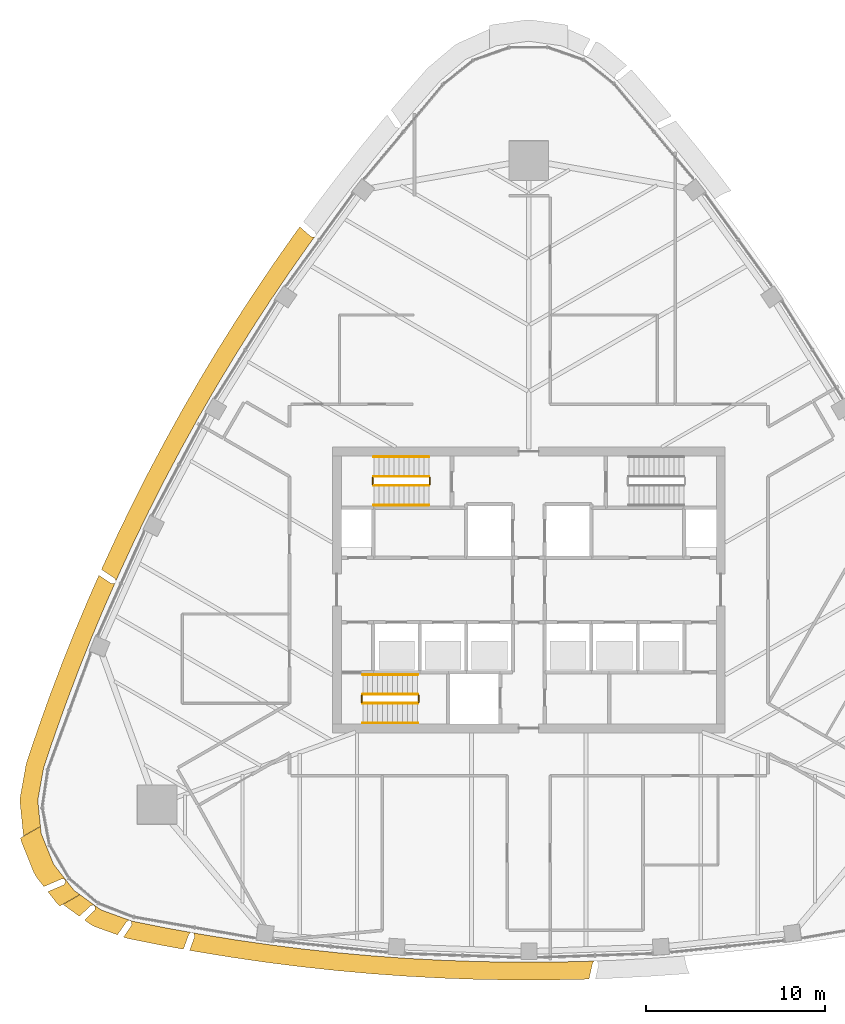
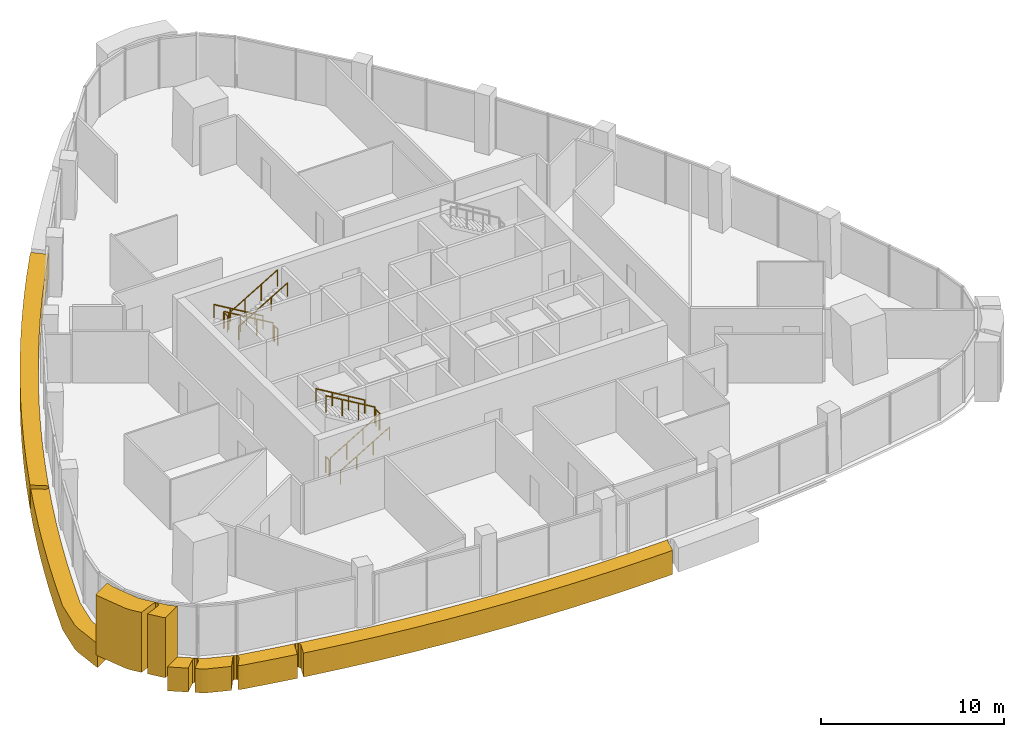
# One storey, part 12 of 15: 12 railings, 4 coverings.
"""IFC4 building model written with IfcOpenShell, lengths in metres."""

from ifc_helpers import new_model, si_unit, direction, frame, origin, origin_2d, place, context, subcontext, project, spatial, polyline, circle, outline, extrude, material, layer, layer_set, type_object, element, save


model = new_model("IFC4")

# Units and contexts
model_context = context("Model", 3, precision=1e-05, world=origin(), true_north=direction((0.0, 1.0)))
body_context = subcontext(model_context, "Body", "Model", "MODEL_VIEW")
ifc_project = project(units=[si_unit("LENGTHUNIT", "METRE"), si_unit("AREAUNIT", "SQUARE_METRE"), si_unit("VOLUMEUNIT", "CUBIC_METRE"), si_unit("PLANEANGLEUNIT", "RADIAN"), si_unit("MASSUNIT", "GRAM", prefix="KILO")], contexts=[model_context])

# Site, building, storey
site_placement = place(None, origin())
site = spatial("IfcSite", under=ifc_project, at=site_placement, CompositionType="ELEMENT")
building_placement = place(site_placement, origin())
building = spatial("IfcBuilding", under=site, at=building_placement, Name="Sierra Prisma Convention Tower", CompositionType="ELEMENT")
storey_placement = place(building_placement, frame((0.0, 0.0, 283.0)))
storey = spatial("IfcBuildingStorey", under=building, at=storey_placement, Name="L64", CompositionType="ELEMENT", Elevation=283.0)

# Coverings
ifc_material_1 = material(Name="Aluminium composite bronze anodised", Category="aluminium")
ifc_layer_1 = layer(ifc_material_1, 1.199951171875)
ifc_layer_set_1 = layer_set([ifc_layer_1], Name="Bronze corner pier")
covering_type_1 = type_object("IfcCoveringType", Name="Bronze corner pier", PredefinedType="CLADDING", material=ifc_layer_set_1)
covering_1_placement = place(storey_placement, frame((0.0, 0.0, -0.60009765625)))
element("IfcCovering", 1, at=covering_1_placement, inside=storey, type_object=covering_type_1, Name="Corner pier SW L64.1", PredefinedType="CLADDING", context=body_context, shape_type="SweptSolid", body=[
    extrude(outline(polyline([(-27.345703125, -13.247802734375), (-27.305419921875, -13.63818359375), (-26.609619140625, -15.363037109375), (-25.463623046875, -16.828125), (-25.145751953125, -17.058349609375), (-26.26611328125, -17.705078125), (-26.40869140625, -17.5673828125), (-26.93310546875, -16.8974609375), (-26.041259765625, -16.518310546875), (-26.036865234375, -16.51611328125), (-26.032470703125, -16.513427734375), (-26.028564453125, -16.510498046875), (-26.02490234375, -16.507080078125), (-26.021728515625, -16.50341796875), (-26.018798828125, -16.499267578125), (-26.016357421875, -16.4951171875), (-25.93994140625, -16.345458984375), (-25.93798828125, -16.341064453125), (-25.936279296875, -16.336669921875), (-25.935302734375, -16.33203125), (-25.9345703125, -16.327392578125), (-25.934326171875, -16.322509765625), (-25.9345703125, -16.31787109375), (-25.935302734375, -16.313232421875), (-25.936279296875, -16.30859375), (-25.93798828125, -16.30419921875), (-25.93994140625, -16.2998046875), (-25.9423828125, -16.295654296875), (-25.945068359375, -16.2919921875), (-26.006591796875, -16.213134765625), (-26.010009765625, -16.20947265625), (-26.013427734375, -16.2060546875), (-26.017333984375, -16.202880859375), (-26.021484375, -16.2001953125), (-26.02587890625, -16.197998046875), (-26.030517578125, -16.1962890625), (-26.035400390625, -16.195068359375), (-26.040283203125, -16.194091796875), (-26.045166015625, -16.19384765625), (-26.157958984375, -16.192138671875), (-26.1630859375, -16.1923828125), (-26.168212890625, -16.193115234375), (-26.17333984375, -16.1943359375), (-26.17822265625, -16.1962890625), (-27.15625, -16.612060546875), (-27.5546875, -16.102294921875), (-27.722412109375, -15.81201171875), (-28.418212890625, -14.0869140625), (-28.466064453125, -13.89453125), (-27.345703125, -13.247802734375)])), origin(), (0.0, 0.0, 1.0), 4.0),
])
ifc_material_2 = material(Name="Aluminium composite bronze anodised", Category="aluminium")
ifc_layer_2 = layer(ifc_material_2, 1.0)
ifc_layer_set_2 = layer_set([ifc_layer_2], Name="Bronze spandrel band")
covering_type_2 = type_object("IfcCoveringType", Name="Bronze spandrel band", PredefinedType="CLADDING", material=ifc_layer_set_2)
covering_2_placement = place(storey_placement, frame((0.0, 0.0, -1.60009765625)))
element("IfcCovering", 2, at=covering_2_placement, inside=storey, type_object=covering_type_2, Name="Spandrel band L64.1", PredefinedType="CLADDING", context=body_context, shape_type="SweptSolid", body=[
    extrude(outline(polyline([(-24.646240234375, -0.47900390625), (-24.63916015625, -0.462646484375), (-24.0732421875, 0.818603515625), (-23.397705078125, 0.36572265625), (-23.393798828125, 0.36328125), (-23.3896484375, 0.361083984375), (-23.38525390625, 0.359619140625), (-23.380859375, 0.3583984375), (-23.376220703125, 0.357666015625), (-23.37158203125, 0.357177734375), (-23.366943359375, 0.357421875), (-23.207763671875, 0.366943359375), (-23.202880859375, 0.367431640625), (-23.197998046875, 0.368408203125), (-23.193115234375, 0.3701171875), (-23.188720703125, 0.371826171875), (-23.184326171875, 0.37451171875), (-23.18017578125, 0.377197265625), (-23.176513671875, 0.38037109375), (-23.173095703125, 0.384033203125), (-23.170654296875, 0.38720703125), (-23.724609375, -0.86669921875), (-24.478515625, -2.659423828125), (-25.199951171875, -4.465576171875), (-25.88916015625, -6.2841796875), (-26.54541015625, -8.11474609375), (-27.1689453125, -9.95703125), (-27.496826171875, -11.787841796875), (-27.346923828125, -13.23681640625), (-28.2900390625, -13.781494140625), (-28.300048828125, -13.740966796875), (-28.49169921875, -11.890869140625), (-28.481201171875, -11.611572265625), (-28.1533203125, -9.78076171875), (-28.1162109375, -9.636474609375), (-27.49267578125, -7.794189453125), (-27.48681640625, -7.77734375), (-26.830322265625, -5.946533203125), (-26.82421875, -5.9296875), (-26.135009765625, -4.111083984375), (-26.128662109375, -4.094482421875), (-25.406982421875, -2.288330078125), (-25.400146484375, -2.271728515625), (-24.646240234375, -0.47900390625)])), origin(), (0.0, 0.0, 1.0), 1.60009765625),
])
covering_3_placement = place(storey_placement, frame((0.0, 0.0, -1.60009765625)))
element("IfcCovering", 3, at=covering_3_placement, inside=storey, type_object=covering_type_2, Name="Spandrel band L64.2", PredefinedType="CLADDING", context=body_context, shape_type="SweptSolid", body=[
    extrude(outline(polyline([(-22.20751953125, -18.550537109375), (-20.30029296875, -18.931640625), (-18.38671875, -19.278564453125), (-16.46728515625, -19.591064453125), (-14.54248046875, -19.869140625), (-12.61279296875, -20.112548828125), (-10.67919921875, -20.321533203125), (-8.7421875, -20.49560546875), (-6.802490234375, -20.635009765625), (-4.860595703125, -20.739501953125), (-2.9169921875, -20.809326171875), (-0.972412109375, -20.84423828125), (0.972412109375, -20.84423828125), (2.9169921875, -20.809326171875), (3.66748046875, -20.782470703125), (3.663330078125, -20.78466796875), (3.6591796875, -20.787353515625), (3.6552734375, -20.790283203125), (3.65185546875, -20.7939453125), (3.648681640625, -20.797607421875), (3.5810546875, -20.8876953125), (3.578125, -20.89208984375), (3.57568359375, -20.896728515625), (3.57373046875, -20.901611328125), (3.572509765625, -20.906494140625), (3.368408203125, -21.793701171875), (2.952880859375, -21.80859375), (2.934814453125, -21.80908203125), (0.990234375, -21.843994140625), (0.972412109375, -21.84423828125), (-0.972412109375, -21.84423828125), (-0.990234375, -21.843994140625), (-2.934814453125, -21.80908203125), (-2.952880859375, -21.80859375), (-4.896240234375, -21.739013671875), (-4.914306640625, -21.73828125), (-6.856201171875, -21.633544921875), (-6.8740234375, -21.632568359375), (-8.81396484375, -21.4931640625), (-8.831787109375, -21.49169921875), (-10.768798828125, -21.3173828125), (-10.78662109375, -21.315673828125), (-12.72021484375, -21.10693359375), (-12.738037109375, -21.104736328125), (-14.66748046875, -20.861328125), (-14.685302734375, -20.85888671875), (-16.610107421875, -20.580810546875), (-16.6279296875, -20.578125), (-18.54736328125, -20.265625), (-18.565185546875, -20.2626953125), (-18.994140625, -20.184814453125), (-18.71435546875, -19.427001953125), (-18.712890625, -19.422607421875), (-18.7119140625, -19.418212890625), (-18.71142578125, -19.41357421875), (-18.711181640625, -19.408935546875), (-18.71142578125, -19.404296875), (-18.71240234375, -19.399658203125), (-18.71337890625, -19.39501953125), (-18.760009765625, -19.24267578125), (-18.76171875, -19.238037109375), (-18.763916015625, -19.2333984375), (-18.7666015625, -19.229248046875), (-18.76953125, -19.225341796875), (-18.77294921875, -19.2216796875), (-18.776611328125, -19.21826171875), (-18.780517578125, -19.21533203125), (-18.784912109375, -19.212890625), (-18.789306640625, -19.210693359375), (-18.794189453125, -19.209228515625), (-18.799072265625, -19.2080078125), (-18.8974609375, -19.190185546875), (-18.902587890625, -19.189697265625), (-18.90771484375, -19.189453125), (-18.912841796875, -19.18994140625), (-18.91796875, -19.19091796875), (-18.9228515625, -19.1923828125), (-18.927734375, -19.1943359375), (-18.93212890625, -19.19677734375), (-18.9365234375, -19.19970703125), (-18.9404296875, -19.202880859375), (-19.02978515625, -19.28662109375), (-19.033203125, -19.2900390625), (-19.0361328125, -19.293701171875), (-19.03857421875, -19.297607421875), (-19.040771484375, -19.301513671875), (-19.04248046875, -19.305908203125), (-19.34375, -20.121337890625), (-20.478759765625, -19.915771484375), (-20.496337890625, -19.912353515625), (-22.403564453125, -19.53125), (-22.547119140625, -19.4912109375), (-22.6943359375, -19.43798828125), (-22.241943359375, -18.787841796875), (-22.2392578125, -18.78369140625), (-22.237060546875, -18.779296875), (-22.2353515625, -18.774658203125), (-22.23388671875, -18.769775390625), (-22.233154296875, -18.764892578125), (-22.23291015625, -18.760009765625), (-22.233154296875, -18.7548828125), (-22.247802734375, -18.587646484375), (-22.24853515625, -18.5830078125), (-22.249755859375, -18.578369140625), (-22.251220703125, -18.573974609375), (-22.253173828125, -18.569580078125), (-22.25537109375, -18.5654296875), (-22.258056640625, -18.5615234375), (-22.26123046875, -18.557861328125), (-22.2646484375, -18.5546875), (-22.268310546875, -18.5517578125), (-22.272216796875, -18.549072265625), (-22.2763671875, -18.546875), (-22.28076171875, -18.544921875), (-22.374755859375, -18.510986328125), (-22.379638671875, -18.509521484375), (-22.384521484375, -18.5087890625), (-22.389404296875, -18.50830078125), (-22.394287109375, -18.50830078125), (-22.399169921875, -18.5087890625), (-22.404052734375, -18.509521484375), (-22.40869140625, -18.510986328125), (-22.413330078125, -18.512939453125), (-22.417724609375, -18.515380859375), (-22.513916015625, -18.57373046875), (-22.518310546875, -18.57666015625), (-22.522216796875, -18.580078125), (-22.52587890625, -18.583984375), (-22.529052734375, -18.587890625), (-23.03515625, -19.31494140625), (-24.296630859375, -18.859619140625), (-24.54345703125, -18.72900390625), (-24.873779296875, -18.48974609375), (-24.319091796875, -17.9521484375), (-24.31591796875, -17.948974609375), (-24.31298828125, -17.9453125), (-24.310546875, -17.94140625), (-24.308349609375, -17.93701171875), (-24.306640625, -17.932861328125), (-24.305419921875, -17.928466796875), (-24.304443359375, -17.923828125), (-24.280517578125, -17.76611328125), (-24.280029296875, -17.76123046875), (-24.280029296875, -17.75634765625), (-24.280517578125, -17.751220703125), (-24.281494140625, -17.746337890625), (-24.282958984375, -17.74169921875), (-24.284912109375, -17.737060546875), (-24.287353515625, -17.732666015625), (-24.2900390625, -17.728515625), (-24.293212890625, -17.724853515625), (-24.296875, -17.72119140625), (-24.30078125, -17.71826171875), (-24.381591796875, -17.659423828125), (-24.385986328125, -17.65673828125), (-24.390625, -17.654296875), (-24.3955078125, -17.652587890625), (-24.400390625, -17.651123046875), (-24.405517578125, -17.650390625), (-24.41064453125, -17.64990234375), (-24.416015625, -17.650390625), (-24.4208984375, -17.651123046875), (-24.426025390625, -17.65234375), (-24.542724609375, -17.689208984375), (-24.547119140625, -17.690673828125), (-24.551513671875, -17.692626953125), (-24.555419921875, -17.695068359375), (-24.55908203125, -17.69775390625), (-24.5625, -17.700927734375), (-25.16162109375, -18.281494140625), (-26.050048828125, -17.63818359375), (-26.080078125, -17.609130859375), (-25.136962890625, -17.064697265625), (-23.95703125, -17.919189453125), (-22.20751953125, -18.550537109375)])), origin(), (0.0, 0.0, 1.0), 1.60009765625),
])
covering_4_placement = place(storey_placement, frame((0.0, 0.0, -1.60009765625)))
element("IfcCovering", 4, at=covering_4_placement, inside=storey, type_object=covering_type_2, Name="Spandrel band L64.3", PredefinedType="CLADDING", context=body_context, shape_type="SweptSolid", body=[
    extrude(outline(polyline([(-21.282958984375, 6.61328125), (-21.274658203125, 6.629150390625), (-20.36328125, 8.34716796875), (-20.354736328125, 8.36279296875), (-19.41259765625, 10.064453125), (-19.40380859375, 10.080078125), (-18.431396484375, 11.76416015625), (-18.42236328125, 11.77978515625), (-17.419921875, 13.4462890625), (-17.410400390625, 13.46142578125), (-16.37841796875, 15.10986328125), (-16.36865234375, 15.125), (-15.30712890625, 16.75439453125), (-15.297119140625, 16.769287109375), (-14.20654296875, 18.379638671875), (-14.1962890625, 18.394287109375), (-13.0771484375, 19.98486328125), (-13.066650390625, 19.99951171875), (-12.82470703125, 20.33056640625), (-12.2080078125, 19.79150390625), (-12.203857421875, 19.788330078125), (-12.19970703125, 19.78564453125), (-12.1953125, 19.783203125), (-12.1904296875, 19.781494140625), (-12.185546875, 19.7802734375), (-12.1806640625, 19.779296875), (-12.031005859375, 19.76220703125), (-12.026123046875, 19.761962890625), (-12.021484375, 19.76220703125), (-12.0166015625, 19.7626953125), (-12.011962890625, 19.763916015625), (-12.007568359375, 19.765380859375), (-12.003173828125, 19.76708984375), (-11.998779296875, 19.76953125), (-11.9951171875, 19.772216796875), (-11.992431640625, 19.7744140625), (-12.25927734375, 19.4091796875), (-13.378662109375, 17.81884765625), (-14.46923828125, 16.20849609375), (-15.53076171875, 14.5791015625), (-16.56298828125, 12.930908203125), (-17.5654296875, 11.26416015625), (-18.537841796875, 9.580078125), (-19.47998046875, 7.878662109375), (-20.391357421875, 6.160400390625), (-21.271728515625, 4.426513671875), (-22.120849609375, 2.6767578125), (-22.938720703125, 0.912109375), (-23.121337890625, 0.49853515625), (-23.12060546875, 0.5029296875), (-23.120361328125, 0.50830078125), (-23.12060546875, 0.51318359375), (-23.121337890625, 0.518310546875), (-23.122802734375, 0.5234375), (-23.12451171875, 0.5283203125), (-23.126708984375, 0.532958984375), (-23.187255859375, 0.639404296875), (-23.189697265625, 0.643310546875), (-23.1923828125, 0.647216796875), (-23.195556640625, 0.650390625), (-23.19921875, 0.653564453125), (-23.202880859375, 0.656494140625), (-23.9296875, 1.1435546875), (-23.853271484375, 1.31640625), (-23.845947265625, 1.332763671875), (-23.0283203125, 3.09716796875), (-23.0205078125, 3.11328125), (-22.17138671875, 4.863037109375), (-22.163330078125, 4.879150390625), (-21.282958984375, 6.61328125)])), origin(), (0.0, 0.0, 1.0), 1.60009765625),
])

# Railings
ifc_material_3 = material(Name="Stainless steel", Category="steel")
railing_type_1 = type_object("IfcRailingType", Name="Exit stair handrail", PredefinedType="HANDRAIL", material=ifc_material_3)
railing_1_placement = place(storey_placement, frame((-9.300048828125, -7.449951171875, 0.166748046875)))
element("IfcRailing", 5, at=railing_1_placement, inside=storey, type_object=railing_type_1, Name="L64 S1 stair handrail 1", PredefinedType="HANDRAIL", context=body_context, shape_type="SweptSolid", body=[
    extrude(circle(Radius=0.02392578125, at=origin_2d()), frame((0.0, 0.0, 0.8759765625), z_axis=(0.859308565015, 0.0, 0.511457515432), x_axis=(0.0, 1.0, 0.0)), (0.0, 0.0, 1.0), 3.58447265625),
    extrude(circle(Radius=0.02099609375, at=origin_2d()), origin(), (0.0, 0.0, 1.0), 0.851806640625),
    extrude(circle(Radius=0.02099609375, at=origin_2d()), frame((1.026611328125, 0.0, 0.611083984375)), (0.0, 0.0, 1.0), 0.851806640625),
    extrude(circle(Radius=0.02099609375, at=origin_2d()), frame((2.053466796875, 0.0, 1.22216796875)), (0.0, 0.0, 1.0), 0.851806640625),
    extrude(circle(Radius=0.02099609375, at=origin_2d()), frame((3.080078125, 0.0, 1.833251953125)), (0.0, 0.0, 1.0), 0.851806640625),
])
railing_2_placement = place(storey_placement, frame((-6.219970703125, -4.75, 2.166748046875)))
element("IfcRailing", 6, at=railing_2_placement, inside=storey, type_object=railing_type_1, Name="L64 S1 stair handrail 2", PredefinedType="HANDRAIL", context=body_context, shape_type="SweptSolid", body=[
    extrude(circle(Radius=0.02392578125, at=origin_2d()), frame((0.0, 0.0, 0.8759765625), z_axis=(-0.859308565015, 0.0, 0.511457515432), x_axis=(0.0, -1.0, 0.0)), (0.0, 0.0, 1.0), 3.58447265625),
    extrude(circle(Radius=0.02099609375, at=origin_2d()), origin(), (0.0, 0.0, 1.0), 0.851806640625),
    extrude(circle(Radius=0.02099609375, at=origin_2d()), frame((-1.026611328125, 0.0, 0.611083984375)), (0.0, 0.0, 1.0), 0.851806640625),
    extrude(circle(Radius=0.02099609375, at=origin_2d()), frame((-2.053466796875, 0.0, 1.22216796875)), (0.0, 0.0, 1.0), 0.851806640625),
    extrude(circle(Radius=0.02099609375, at=origin_2d()), frame((-3.080078125, 0.0, 1.833251953125)), (0.0, 0.0, 1.0), 0.851806640625),
])
railing_3_placement = place(storey_placement, frame((-5.60009765625, 7.449951171875, 0.166748046875)))
element("IfcRailing", 7, at=railing_3_placement, inside=storey, type_object=railing_type_1, Name="L64 S3 stair handrail 1", PredefinedType="HANDRAIL", context=body_context, shape_type="SweptSolid", body=[
    extrude(circle(Radius=0.02392578125, at=origin_2d()), frame((0.0, 0.0, 0.8759765625), z_axis=(-0.859290745958, 0.0, 0.51148745235), x_axis=(0.0, -1.0, 0.0)), (0.0, 0.0, 1.0), 3.584228515625),
    extrude(circle(Radius=0.02099609375, at=origin_2d()), origin(), (0.0, 0.0, 1.0), 0.851806640625),
    extrude(circle(Radius=0.02099609375, at=origin_2d()), frame((-1.026611328125, 0.0, 0.611083984375)), (0.0, 0.0, 1.0), 0.851806640625),
    extrude(circle(Radius=0.02099609375, at=origin_2d()), frame((-2.05322265625, 0.0, 1.22216796875)), (0.0, 0.0, 1.0), 0.851806640625),
    extrude(circle(Radius=0.02099609375, at=origin_2d()), frame((-3.079833984375, 0.0, 1.833251953125)), (0.0, 0.0, 1.0), 0.851806640625),
])
railing_4_placement = place(storey_placement, frame((-8.679931640625, 4.75, 2.166748046875)))
element("IfcRailing", 8, at=railing_4_placement, inside=storey, type_object=railing_type_1, Name="L64 S3 stair handrail 2", PredefinedType="HANDRAIL", context=body_context, shape_type="SweptSolid", body=[
    extrude(circle(Radius=0.02392578125, at=origin_2d()), frame((0.0, 0.0, 0.8759765625), z_axis=(0.859290745958, 0.0, 0.51148745235), x_axis=(0.0, 1.0, 0.0)), (0.0, 0.0, 1.0), 3.584228515625),
    extrude(circle(Radius=0.02099609375, at=origin_2d()), origin(), (0.0, 0.0, 1.0), 0.851806640625),
    extrude(circle(Radius=0.02099609375, at=origin_2d()), frame((1.026611328125, 0.0, 0.611083984375)), (0.0, 0.0, 1.0), 0.851806640625),
    extrude(circle(Radius=0.02099609375, at=origin_2d()), frame((2.05322265625, 0.0, 1.22216796875)), (0.0, 0.0, 1.0), 0.851806640625),
    extrude(circle(Radius=0.02099609375, at=origin_2d()), frame((3.079833984375, 0.0, 1.833251953125)), (0.0, 0.0, 1.0), 0.851806640625),
])
ifc_material_4 = material(Name="Stainless steel", Category="steel")
railing_type_2 = type_object("IfcRailingType", Name="Stair guard 1100", PredefinedType="GUARDRAIL", material=ifc_material_4)
railing_5_placement = place(storey_placement, frame((-9.300048828125, -6.35009765625, 0.166748046875)))
element("IfcRailing", 9, at=railing_5_placement, inside=storey, type_object=railing_type_2, Name="L64 S1 stair guard 1", PredefinedType="GUARDRAIL", context=body_context, shape_type="SweptSolid", body=[
    extrude(circle(Radius=0.02392578125, at=origin_2d()), frame((0.0, 0.0, 1.076171875), z_axis=(0.859308565015, 0.0, 0.511457515432), x_axis=(0.0, 1.0, 0.0)), (0.0, 0.0, 1.0), 3.58447265625),
    extrude(circle(Radius=0.02099609375, at=origin_2d()), origin(), (0.0, 0.0, 1.0), 1.052001953125),
    extrude(circle(Radius=0.02099609375, at=origin_2d()), frame((1.026611328125, 0.0, 0.611083984375)), (0.0, 0.0, 1.0), 1.052001953125),
    extrude(circle(Radius=0.02099609375, at=origin_2d()), frame((2.053466796875, 0.0, 1.22216796875)), (0.0, 0.0, 1.0), 1.052001953125),
    extrude(circle(Radius=0.02099609375, at=origin_2d()), frame((3.080078125, 0.0, 1.833251953125)), (0.0, 0.0, 1.0), 1.052001953125),
])
railing_6_placement = place(storey_placement, frame((-6.169921875, -6.300048828125, 2.0)))
element("IfcRailing", 10, at=railing_6_placement, inside=storey, type_object=railing_type_2, Name="L64 S1 stair guard 2", PredefinedType="GUARDRAIL", context=body_context, shape_type="SweptSolid", body=[
    extrude(circle(Radius=0.02392578125, at=origin_2d()), frame((0.0, 0.0, 1.076171875), z_axis=(0.0, 1.0, 0.0), x_axis=(-1.0, 0.0, 0.0)), (0.0, 0.0, 1.0), 0.400146484375),
    extrude(circle(Radius=0.02099609375, at=origin_2d()), origin(), (0.0, 0.0, 1.0), 1.052001953125),
    extrude(circle(Radius=0.02099609375, at=origin_2d()), frame((0.0, 0.400146484375, 0.0)), (0.0, 0.0, 1.0), 1.052001953125),
])
railing_7_placement = place(storey_placement, frame((-6.219970703125, -5.85009765625, 2.166748046875)))
element("IfcRailing", 11, at=railing_7_placement, inside=storey, type_object=railing_type_2, Name="L64 S1 stair guard 3", PredefinedType="GUARDRAIL", context=body_context, shape_type="SweptSolid", body=[
    extrude(circle(Radius=0.02392578125, at=origin_2d()), frame((0.0, 0.0, 1.076171875), z_axis=(-0.859308565015, 0.0, 0.511457515432), x_axis=(0.0, -1.0, 0.0)), (0.0, 0.0, 1.0), 3.58447265625),
    extrude(circle(Radius=0.02099609375, at=origin_2d()), origin(), (0.0, 0.0, 1.0), 1.052001953125),
    extrude(circle(Radius=0.02099609375, at=origin_2d()), frame((-1.026611328125, 0.0, 0.611083984375)), (0.0, 0.0, 1.0), 1.052001953125),
    extrude(circle(Radius=0.02099609375, at=origin_2d()), frame((-2.053466796875, 0.0, 1.22216796875)), (0.0, 0.0, 1.0), 1.052001953125),
    extrude(circle(Radius=0.02099609375, at=origin_2d()), frame((-3.080078125, 0.0, 1.833251953125)), (0.0, 0.0, 1.0), 1.052001953125),
])
railing_8_placement = place(storey_placement, frame((-9.35009765625, -6.300048828125, 0.0)))
element("IfcRailing", 12, at=railing_8_placement, inside=storey, type_object=railing_type_2, Name="L64 S1 stair guard 4", PredefinedType="GUARDRAIL", context=body_context, shape_type="SweptSolid", body=[
    extrude(circle(Radius=0.02392578125, at=origin_2d()), frame((0.0, 0.0, 1.076171875), z_axis=(0.0, 1.0, 0.0), x_axis=(-1.0, 0.0, 0.0)), (0.0, 0.0, 1.0), 0.400146484375),
    extrude(circle(Radius=0.02099609375, at=origin_2d()), origin(), (0.0, 0.0, 1.0), 1.052001953125),
    extrude(circle(Radius=0.02099609375, at=origin_2d()), frame((0.0, 0.400146484375, 0.0)), (0.0, 0.0, 1.0), 1.052001953125),
])
railing_9_placement = place(storey_placement, frame((-5.60009765625, 6.35009765625, 0.166748046875)))
element("IfcRailing", 13, at=railing_9_placement, inside=storey, type_object=railing_type_2, Name="L64 S3 stair guard 1", PredefinedType="GUARDRAIL", context=body_context, shape_type="SweptSolid", body=[
    extrude(circle(Radius=0.02392578125, at=origin_2d()), frame((0.0, 0.0, 1.076171875), z_axis=(-0.859290745958, 0.0, 0.51148745235), x_axis=(0.0, -1.0, 0.0)), (0.0, 0.0, 1.0), 3.584228515625),
    extrude(circle(Radius=0.02099609375, at=origin_2d()), origin(), (0.0, 0.0, 1.0), 1.052001953125),
    extrude(circle(Radius=0.02099609375, at=origin_2d()), frame((-1.026611328125, 0.0, 0.611083984375)), (0.0, 0.0, 1.0), 1.052001953125),
    extrude(circle(Radius=0.02099609375, at=origin_2d()), frame((-2.05322265625, 0.0, 1.22216796875)), (0.0, 0.0, 1.0), 1.052001953125),
    extrude(circle(Radius=0.02099609375, at=origin_2d()), frame((-3.079833984375, 0.0, 1.833251953125)), (0.0, 0.0, 1.0), 1.052001953125),
])
railing_10_placement = place(storey_placement, frame((-8.72998046875, 6.300048828125, 2.0)))
element("IfcRailing", 14, at=railing_10_placement, inside=storey, type_object=railing_type_2, Name="L64 S3 stair guard 2", PredefinedType="GUARDRAIL", context=body_context, shape_type="SweptSolid", body=[
    extrude(circle(Radius=0.02392578125, at=origin_2d()), frame((0.0, 0.0, 1.076171875), z_axis=(0.0, -1.0, 0.0), x_axis=(1.0, 0.0, 0.0)), (0.0, 0.0, 1.0), 0.400146484375),
    extrude(circle(Radius=0.02099609375, at=origin_2d()), origin(), (0.0, 0.0, 1.0), 1.052001953125),
    extrude(circle(Radius=0.02099609375, at=origin_2d()), frame((0.0, -0.400146484375, 0.0)), (0.0, 0.0, 1.0), 1.052001953125),
])
railing_11_placement = place(storey_placement, frame((-8.679931640625, 5.85009765625, 2.166748046875)))
element("IfcRailing", 15, at=railing_11_placement, inside=storey, type_object=railing_type_2, Name="L64 S3 stair guard 3", PredefinedType="GUARDRAIL", context=body_context, shape_type="SweptSolid", body=[
    extrude(circle(Radius=0.02392578125, at=origin_2d()), frame((0.0, 0.0, 1.076171875), z_axis=(0.859290745958, 0.0, 0.51148745235), x_axis=(0.0, 1.0, 0.0)), (0.0, 0.0, 1.0), 3.584228515625),
    extrude(circle(Radius=0.02099609375, at=origin_2d()), origin(), (0.0, 0.0, 1.0), 1.052001953125),
    extrude(circle(Radius=0.02099609375, at=origin_2d()), frame((1.026611328125, 0.0, 0.611083984375)), (0.0, 0.0, 1.0), 1.052001953125),
    extrude(circle(Radius=0.02099609375, at=origin_2d()), frame((2.05322265625, 0.0, 1.22216796875)), (0.0, 0.0, 1.0), 1.052001953125),
    extrude(circle(Radius=0.02099609375, at=origin_2d()), frame((3.079833984375, 0.0, 1.833251953125)), (0.0, 0.0, 1.0), 1.052001953125),
])
railing_12_placement = place(storey_placement, frame((-5.550048828125, 6.300048828125, 0.0)))
element("IfcRailing", 16, at=railing_12_placement, inside=storey, type_object=railing_type_2, Name="L64 S3 stair guard 4", PredefinedType="GUARDRAIL", context=body_context, shape_type="SweptSolid", body=[
    extrude(circle(Radius=0.02392578125, at=origin_2d()), frame((0.0, 0.0, 1.076171875), z_axis=(0.0, -1.0, 0.0), x_axis=(1.0, 0.0, 0.0)), (0.0, 0.0, 1.0), 0.400146484375),
    extrude(circle(Radius=0.02099609375, at=origin_2d()), origin(), (0.0, 0.0, 1.0), 1.052001953125),
    extrude(circle(Radius=0.02099609375, at=origin_2d()), frame((0.0, -0.400146484375, 0.0)), (0.0, 0.0, 1.0), 1.052001953125),
])

save(model, "model.ifc")
